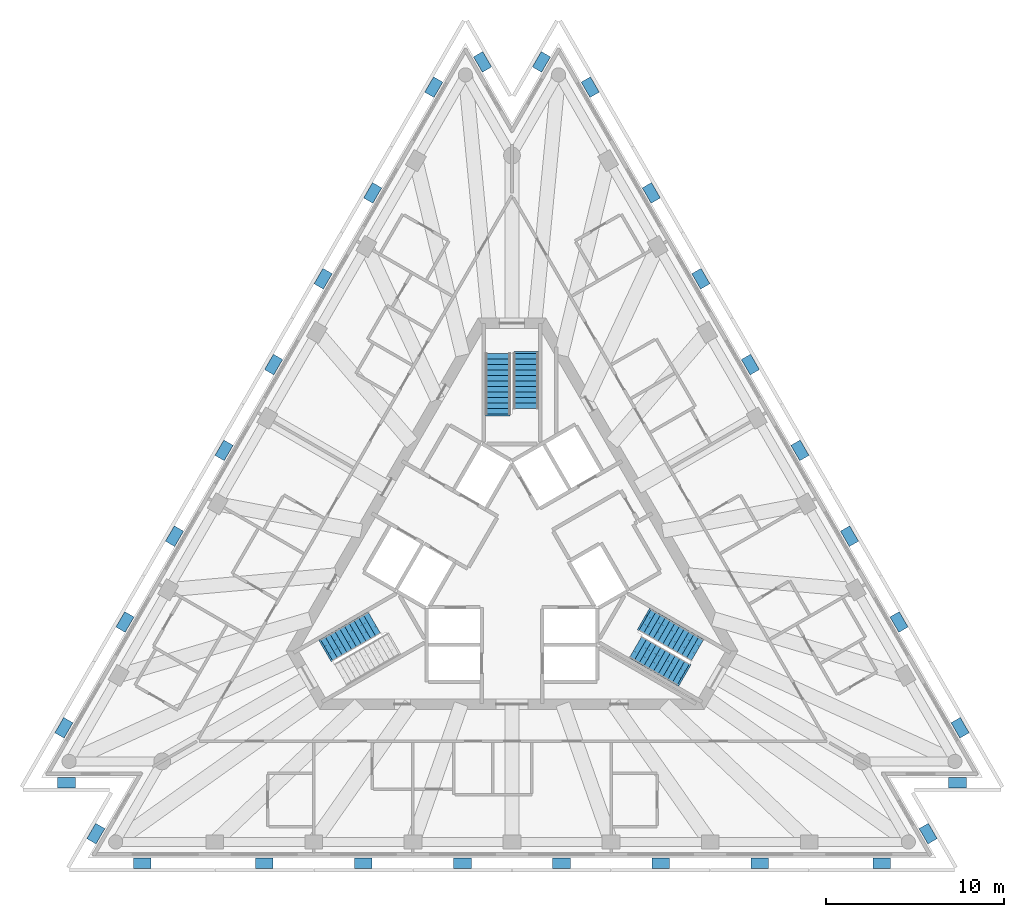
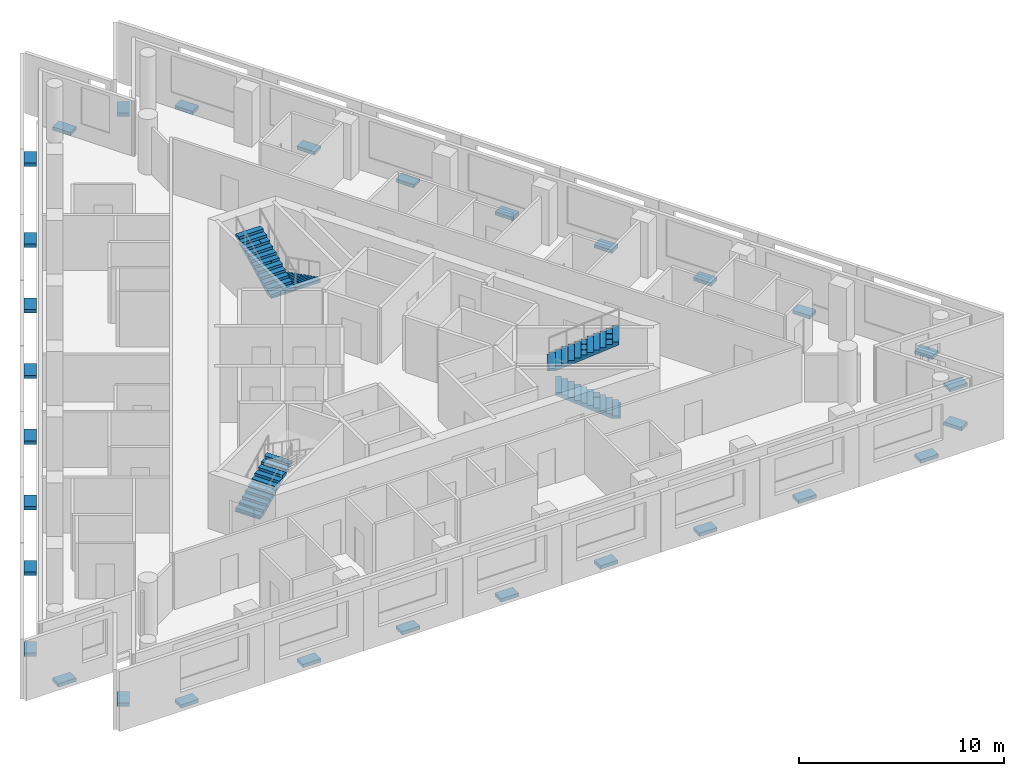
# One storey, part 8 of 10: 30 discrete accessories, 5 stair flights, 3 elements without a shape of their own.
"""IFC4 building model written with IfcOpenShell, lengths in metres."""

from ifc_helpers import new_model, si_unit, direction, frame, origin, origin_2d, place, context, subcontext, project, spatial, polyline, rectangle, outline, extrude, material, type_object, element, aggregate, save


model = new_model("IFC4")

# Units and contexts
model_context = context("Model", 3, precision=1e-05, world=origin(), true_north=direction((0.0, 1.0)))
body_context = subcontext(model_context, "Body", "Model", "MODEL_VIEW")
ifc_project = project(units=[si_unit("LENGTHUNIT", "METRE"), si_unit("AREAUNIT", "SQUARE_METRE"), si_unit("VOLUMEUNIT", "CUBIC_METRE"), si_unit("PLANEANGLEUNIT", "RADIAN"), si_unit("MASSUNIT", "GRAM", prefix="KILO")], contexts=[model_context])

# Site, building, storey
site_placement = place(None, origin())
site = spatial("IfcSite", under=ifc_project, at=site_placement, CompositionType="ELEMENT")
building_placement = place(site_placement, origin())
building = spatial("IfcBuilding", under=site, at=building_placement, Name="Triada Interchange Tower", CompositionType="ELEMENT")
storey_placement = place(building_placement, frame((0.0, 0.0, 275.5)))
storey = spatial("IfcBuildingStorey", under=building, at=storey_placement, Name="L64", CompositionType="ELEMENT", Elevation=275.5)

# Stair, stair flights
ifc_material_1 = material(Name="Concrete C35/45", Category="concrete")
stair_type = type_object("IfcStairType", Name="HALF TURN STAIR 1400", PredefinedType="HALF_TURN_STAIR", material=ifc_material_1)
stair_1_placement = place(storey_placement, origin())
stair_1 = element("IfcStair", 1, at=stair_1_placement, inside=storey, type_object=stair_type, Name="Exit stair S62-1", PredefinedType="HALF_TURN_STAIR")
stair_flight_type = type_object("IfcStairFlightType", Name="STRAIGHT STAIR FLIGHT 1400", PredefinedType="STRAIGHT", material=ifc_material_1)
stair_flight_1_placement = place(storey_placement, frame((0.800048828125, 11.60009765625, 0.0), z_axis=(0.0, 0.0, 1.0), x_axis=(0.0, -1.0, 0.0)))
stair_flight_1 = element("IfcStairFlight", 2, at=stair_flight_1_placement, type_object=stair_flight_type, Name="S62-1 flight 1", NumberOfRisers=11, NumberOfTreads=10, PredefinedType="STRAIGHT", RiserHeight=0.15652, TreadLength=0.31, context=body_context, shape_type="SweptSolid", body=[
    extrude(outline(polyline([(-0.10009765625, 0.0), (-0.10009765625, 0.02001953125), (0.0, 0.02001953125), (0.0, 0.156494140625), (0.31005859375, 0.156494140625), (0.31005859375, 0.31298828125), (0.6201171875, 0.31298828125), (0.6201171875, 0.469482421875), (0.929931640625, 0.469482421875), (0.929931640625, 0.6259765625), (1.239990234375, 0.6259765625), (1.239990234375, 0.78271484375), (1.550048828125, 0.78271484375), (1.550048828125, 0.939208984375), (1.860107421875, 0.939208984375), (1.860107421875, 1.095703125), (2.169921875, 1.095703125), (2.169921875, 1.252197265625), (2.47998046875, 1.252197265625), (2.47998046875, 1.40869140625), (2.7900390625, 1.40869140625), (2.7900390625, 1.565185546875), (3.10009765625, 1.565185546875), (3.10400390625, 1.565185546875), (3.10400390625, 1.7216796875), (3.10400390625, 1.397216796875), (0.33251953125, 0.0), (-0.10009765625, 0.0)])), frame((0.0, 0.699951171875, 0.0), z_axis=(0.0, -1.0, 0.0), x_axis=(1.0, 0.0, 0.0)), (0.0, 0.0, 1.0), 0.46533203125),
    extrude(outline(polyline([(-0.10009765625, 0.0), (-0.10009765625, 0.02001953125), (0.0, 0.02001953125), (0.0, 0.156494140625), (0.31005859375, 0.156494140625), (0.31005859375, 0.31298828125), (0.6201171875, 0.31298828125), (0.6201171875, 0.469482421875), (0.929931640625, 0.469482421875), (0.929931640625, 0.6259765625), (1.239990234375, 0.6259765625), (1.239990234375, 0.78271484375), (1.550048828125, 0.78271484375), (1.550048828125, 0.939208984375), (1.860107421875, 0.939208984375), (1.860107421875, 1.095703125), (2.169921875, 1.095703125), (2.169921875, 1.252197265625), (2.47998046875, 1.252197265625), (2.47998046875, 1.40869140625), (2.7900390625, 1.40869140625), (2.7900390625, 1.565185546875), (3.10009765625, 1.565185546875), (3.10400390625, 1.565185546875), (3.10400390625, 1.7216796875), (3.10400390625, 1.397216796875), (0.33251953125, 0.0), (-0.10009765625, 0.0)])), frame((0.0, 0.232666015625, 0.0), z_axis=(0.0, -1.0, 0.0), x_axis=(1.0, 0.0, 0.0)), (0.0, 0.0, 1.0), 0.46533203125),
    extrude(outline(polyline([(-0.10009765625, 0.0), (-0.10009765625, 0.02001953125), (0.0, 0.02001953125), (0.0, 0.156494140625), (0.31005859375, 0.156494140625), (0.31005859375, 0.31298828125), (0.6201171875, 0.31298828125), (0.6201171875, 0.469482421875), (0.929931640625, 0.469482421875), (0.929931640625, 0.6259765625), (1.239990234375, 0.6259765625), (1.239990234375, 0.78271484375), (1.550048828125, 0.78271484375), (1.550048828125, 0.939208984375), (1.860107421875, 0.939208984375), (1.860107421875, 1.095703125), (2.169921875, 1.095703125), (2.169921875, 1.252197265625), (2.47998046875, 1.252197265625), (2.47998046875, 1.40869140625), (2.7900390625, 1.40869140625), (2.7900390625, 1.565185546875), (3.10009765625, 1.565185546875), (3.10400390625, 1.565185546875), (3.10400390625, 1.7216796875), (3.10400390625, 1.397216796875), (0.33251953125, 0.0), (-0.10009765625, 0.0)])), frame((0.0, -0.234619140625, 0.0), z_axis=(0.0, -1.0, 0.0), x_axis=(1.0, 0.0, 0.0)), (0.0, 0.0, 1.0), 0.46533203125),
])
stair_flight_2_placement = place(storey_placement, frame((-0.800048828125, 8.18994140625, 1.7216796875), z_axis=(0.0, 0.0, 1.0), x_axis=(0.0, 1.0, 0.0)))
stair_flight_2 = element("IfcStairFlight", 3, at=stair_flight_2_placement, type_object=stair_flight_type, Name="S62-1 flight 2", NumberOfRisers=12, NumberOfTreads=11, PredefinedType="STRAIGHT", RiserHeight=0.15652, TreadLength=0.31, context=body_context, shape_type="SweptSolid", body=[
    extrude(outline(polyline([(-0.10009765625, 0.0), (-0.10009765625, 0.02001953125), (0.0, 0.02001953125), (0.0, 0.156494140625), (0.31005859375, 0.156494140625), (0.31005859375, 0.31298828125), (0.6201171875, 0.31298828125), (0.6201171875, 0.469482421875), (0.929931640625, 0.469482421875), (0.929931640625, 0.6259765625), (1.239990234375, 0.6259765625), (1.239990234375, 0.78271484375), (1.550048828125, 0.78271484375), (1.550048828125, 0.939208984375), (1.860107421875, 0.939208984375), (1.860107421875, 1.095703125), (2.169921875, 1.095703125), (2.169921875, 1.252197265625), (2.47998046875, 1.252197265625), (2.47998046875, 1.40869140625), (2.7900390625, 1.40869140625), (2.7900390625, 1.565185546875), (3.10009765625, 1.565185546875), (3.10009765625, 1.7216796875), (3.409912109375, 1.7216796875), (3.4140625, 1.7216796875), (3.4140625, 1.878173828125), (3.4140625, 1.5537109375), (0.33251953125, 0.0), (-0.10009765625, 0.0)])), frame((0.0, 0.699951171875, 0.0), z_axis=(0.0, -1.0, 0.0), x_axis=(1.0, 0.0, 0.0)), (0.0, 0.0, 1.0), 0.46533203125),
    extrude(outline(polyline([(-0.10009765625, 0.0), (-0.10009765625, 0.02001953125), (0.0, 0.02001953125), (0.0, 0.156494140625), (0.31005859375, 0.156494140625), (0.31005859375, 0.31298828125), (0.6201171875, 0.31298828125), (0.6201171875, 0.469482421875), (0.929931640625, 0.469482421875), (0.929931640625, 0.6259765625), (1.239990234375, 0.6259765625), (1.239990234375, 0.78271484375), (1.550048828125, 0.78271484375), (1.550048828125, 0.939208984375), (1.860107421875, 0.939208984375), (1.860107421875, 1.095703125), (2.169921875, 1.095703125), (2.169921875, 1.252197265625), (2.47998046875, 1.252197265625), (2.47998046875, 1.40869140625), (2.7900390625, 1.40869140625), (2.7900390625, 1.565185546875), (3.10009765625, 1.565185546875), (3.10009765625, 1.7216796875), (3.409912109375, 1.7216796875), (3.4140625, 1.7216796875), (3.4140625, 1.878173828125), (3.4140625, 1.5537109375), (0.33251953125, 0.0), (-0.10009765625, 0.0)])), frame((0.0, 0.232666015625, 0.0), z_axis=(0.0, -1.0, 0.0), x_axis=(1.0, 0.0, 0.0)), (0.0, 0.0, 1.0), 0.46533203125),
    extrude(outline(polyline([(-0.10009765625, 0.0), (-0.10009765625, 0.02001953125), (0.0, 0.02001953125), (0.0, 0.156494140625), (0.31005859375, 0.156494140625), (0.31005859375, 0.31298828125), (0.6201171875, 0.31298828125), (0.6201171875, 0.469482421875), (0.929931640625, 0.469482421875), (0.929931640625, 0.6259765625), (1.239990234375, 0.6259765625), (1.239990234375, 0.78271484375), (1.550048828125, 0.78271484375), (1.550048828125, 0.939208984375), (1.860107421875, 0.939208984375), (1.860107421875, 1.095703125), (2.169921875, 1.095703125), (2.169921875, 1.252197265625), (2.47998046875, 1.252197265625), (2.47998046875, 1.40869140625), (2.7900390625, 1.40869140625), (2.7900390625, 1.565185546875), (3.10009765625, 1.565185546875), (3.10009765625, 1.7216796875), (3.409912109375, 1.7216796875), (3.4140625, 1.7216796875), (3.4140625, 1.878173828125), (3.4140625, 1.5537109375), (0.33251953125, 0.0), (-0.10009765625, 0.0)])), frame((0.0, -0.234619140625, 0.0), z_axis=(0.0, -1.0, 0.0), x_axis=(1.0, 0.0, 0.0)), (0.0, 0.0, 1.0), 0.46533203125),
])
aggregate(stair_1, [stair_flight_1, stair_flight_2])

# Stair, stair flight
stair_2_placement = place(storey_placement, origin())
stair_2 = element("IfcStair", 4, at=stair_2_placement, inside=storey, type_object=stair_type, Name="Exit stair S62-2", PredefinedType="HALF_TURN_STAIR")
stair_flight_3_placement = place(storey_placement, frame((-10.446044921875, -5.10693359375, 0.0), z_axis=(0.0, 0.0, 1.0), x_axis=(0.866025403784, 0.5, 0.0)))
stair_flight_3 = element("IfcStairFlight", 5, at=stair_flight_3_placement, type_object=stair_flight_type, Name="S62-2 flight 1", NumberOfRisers=11, NumberOfTreads=10, PredefinedType="STRAIGHT", RiserHeight=0.15652, TreadLength=0.31, context=body_context, shape_type="SweptSolid", body=[
    extrude(outline(polyline([(-0.10009765625, 0.0), (-0.10009765625, 0.02001953125), (0.0, 0.02001953125), (0.0, 0.156494140625), (0.31005859375, 0.156494140625), (0.31005859375, 0.31298828125), (0.6201171875, 0.31298828125), (0.6201171875, 0.469482421875), (0.929931640625, 0.469482421875), (0.929931640625, 0.6259765625), (1.239990234375, 0.6259765625), (1.239990234375, 0.78271484375), (1.550048828125, 0.78271484375), (1.550048828125, 0.939208984375), (1.860107421875, 0.939208984375), (1.860107421875, 1.095703125), (2.169921875, 1.095703125), (2.169921875, 1.252197265625), (2.47998046875, 1.252197265625), (2.47998046875, 1.40869140625), (2.7900390625, 1.40869140625), (2.7900390625, 1.565185546875), (3.10009765625, 1.565185546875), (3.10400390625, 1.565185546875), (3.10400390625, 1.7216796875), (3.10400390625, 1.397216796875), (0.33251953125, 0.0), (-0.10009765625, 0.0)])), frame((0.0, 0.699951171875, 0.0), z_axis=(0.0, -1.0, 0.0), x_axis=(1.0, 0.0, 0.0)), (0.0, 0.0, 1.0), 0.46533203125),
    extrude(outline(polyline([(-0.10009765625, 0.0), (-0.10009765625, 0.02001953125), (0.0, 0.02001953125), (0.0, 0.156494140625), (0.31005859375, 0.156494140625), (0.31005859375, 0.31298828125), (0.6201171875, 0.31298828125), (0.6201171875, 0.469482421875), (0.929931640625, 0.469482421875), (0.929931640625, 0.6259765625), (1.239990234375, 0.6259765625), (1.239990234375, 0.78271484375), (1.550048828125, 0.78271484375), (1.550048828125, 0.939208984375), (1.860107421875, 0.939208984375), (1.860107421875, 1.095703125), (2.169921875, 1.095703125), (2.169921875, 1.252197265625), (2.47998046875, 1.252197265625), (2.47998046875, 1.40869140625), (2.7900390625, 1.40869140625), (2.7900390625, 1.565185546875), (3.10009765625, 1.565185546875), (3.10400390625, 1.565185546875), (3.10400390625, 1.7216796875), (3.10400390625, 1.397216796875), (0.33251953125, 0.0), (-0.10009765625, 0.0)])), frame((0.0, 0.232666015625, 0.0), z_axis=(0.0, -1.0, 0.0), x_axis=(1.0, 0.0, 0.0)), (0.0, 0.0, 1.0), 0.46533203125),
    extrude(outline(polyline([(-0.10009765625, 0.0), (-0.10009765625, 0.02001953125), (0.0, 0.02001953125), (0.0, 0.156494140625), (0.31005859375, 0.156494140625), (0.31005859375, 0.31298828125), (0.6201171875, 0.31298828125), (0.6201171875, 0.469482421875), (0.929931640625, 0.469482421875), (0.929931640625, 0.6259765625), (1.239990234375, 0.6259765625), (1.239990234375, 0.78271484375), (1.550048828125, 0.78271484375), (1.550048828125, 0.939208984375), (1.860107421875, 0.939208984375), (1.860107421875, 1.095703125), (2.169921875, 1.095703125), (2.169921875, 1.252197265625), (2.47998046875, 1.252197265625), (2.47998046875, 1.40869140625), (2.7900390625, 1.40869140625), (2.7900390625, 1.565185546875), (3.10009765625, 1.565185546875), (3.10400390625, 1.565185546875), (3.10400390625, 1.7216796875), (3.10400390625, 1.397216796875), (0.33251953125, 0.0), (-0.10009765625, 0.0)])), frame((0.0, -0.234619140625, 0.0), z_axis=(0.0, -1.0, 0.0), x_axis=(1.0, 0.0, 0.0)), (0.0, 0.0, 1.0), 0.46533203125),
])
aggregate(stair_2, [stair_flight_3])

# Stair, stair flights
stair_3_placement = place(storey_placement, origin())
stair_3 = element("IfcStair", 6, at=stair_3_placement, inside=storey, type_object=stair_type, Name="Exit stair S62-3", PredefinedType="HALF_TURN_STAIR")
stair_flight_4_placement = place(storey_placement, frame((9.64599609375, -6.492919921875, 0.0), z_axis=(0.0, 0.0, 1.0), x_axis=(-0.866025403784, 0.5, 0.0)))
stair_flight_4 = element("IfcStairFlight", 7, at=stair_flight_4_placement, type_object=stair_flight_type, Name="S62-3 flight 1", NumberOfRisers=11, NumberOfTreads=10, PredefinedType="STRAIGHT", RiserHeight=0.15652, TreadLength=0.31, context=body_context, shape_type="SweptSolid", body=[
    extrude(outline(polyline([(-0.10009765625, 0.0), (-0.10009765625, 0.02001953125), (0.0, 0.02001953125), (0.0, 0.156494140625), (0.31005859375, 0.156494140625), (0.31005859375, 0.31298828125), (0.6201171875, 0.31298828125), (0.6201171875, 0.469482421875), (0.929931640625, 0.469482421875), (0.929931640625, 0.6259765625), (1.239990234375, 0.6259765625), (1.239990234375, 0.78271484375), (1.550048828125, 0.78271484375), (1.550048828125, 0.939208984375), (1.860107421875, 0.939208984375), (1.860107421875, 1.095703125), (2.169921875, 1.095703125), (2.169921875, 1.252197265625), (2.47998046875, 1.252197265625), (2.47998046875, 1.40869140625), (2.7900390625, 1.40869140625), (2.7900390625, 1.565185546875), (3.10009765625, 1.565185546875), (3.10400390625, 1.565185546875), (3.10400390625, 1.7216796875), (3.10400390625, 1.397216796875), (0.33251953125, 0.0), (-0.10009765625, 0.0)])), frame((0.0, 0.699951171875, 0.0), z_axis=(0.0, -1.0, 0.0), x_axis=(1.0, 0.0, 0.0)), (0.0, 0.0, 1.0), 0.46533203125),
    extrude(outline(polyline([(-0.10009765625, 0.0), (-0.10009765625, 0.02001953125), (0.0, 0.02001953125), (0.0, 0.156494140625), (0.31005859375, 0.156494140625), (0.31005859375, 0.31298828125), (0.6201171875, 0.31298828125), (0.6201171875, 0.469482421875), (0.929931640625, 0.469482421875), (0.929931640625, 0.6259765625), (1.239990234375, 0.6259765625), (1.239990234375, 0.78271484375), (1.550048828125, 0.78271484375), (1.550048828125, 0.939208984375), (1.860107421875, 0.939208984375), (1.860107421875, 1.095703125), (2.169921875, 1.095703125), (2.169921875, 1.252197265625), (2.47998046875, 1.252197265625), (2.47998046875, 1.40869140625), (2.7900390625, 1.40869140625), (2.7900390625, 1.565185546875), (3.10009765625, 1.565185546875), (3.10400390625, 1.565185546875), (3.10400390625, 1.7216796875), (3.10400390625, 1.397216796875), (0.33251953125, 0.0), (-0.10009765625, 0.0)])), frame((0.0, 0.232666015625, 0.0), z_axis=(0.0, -1.0, 0.0), x_axis=(1.0, 0.0, 0.0)), (0.0, 0.0, 1.0), 0.46533203125),
    extrude(outline(polyline([(-0.10009765625, 0.0), (-0.10009765625, 0.02001953125), (0.0, 0.02001953125), (0.0, 0.156494140625), (0.31005859375, 0.156494140625), (0.31005859375, 0.31298828125), (0.6201171875, 0.31298828125), (0.6201171875, 0.469482421875), (0.929931640625, 0.469482421875), (0.929931640625, 0.6259765625), (1.239990234375, 0.6259765625), (1.239990234375, 0.78271484375), (1.550048828125, 0.78271484375), (1.550048828125, 0.939208984375), (1.860107421875, 0.939208984375), (1.860107421875, 1.095703125), (2.169921875, 1.095703125), (2.169921875, 1.252197265625), (2.47998046875, 1.252197265625), (2.47998046875, 1.40869140625), (2.7900390625, 1.40869140625), (2.7900390625, 1.565185546875), (3.10009765625, 1.565185546875), (3.10400390625, 1.565185546875), (3.10400390625, 1.7216796875), (3.10400390625, 1.397216796875), (0.33251953125, 0.0), (-0.10009765625, 0.0)])), frame((0.0, -0.234619140625, 0.0), z_axis=(0.0, -1.0, 0.0), x_axis=(1.0, 0.0, 0.0)), (0.0, 0.0, 1.0), 0.46533203125),
])
stair_flight_5_placement = place(storey_placement, frame((7.492919921875, -3.402099609375, 1.7216796875), z_axis=(0.0, 0.0, 1.0), x_axis=(0.866025403784, -0.5, 0.0)))
stair_flight_5 = element("IfcStairFlight", 8, at=stair_flight_5_placement, type_object=stair_flight_type, Name="S62-3 flight 2", NumberOfRisers=12, NumberOfTreads=11, PredefinedType="STRAIGHT", RiserHeight=0.15652, TreadLength=0.31, context=body_context, shape_type="SweptSolid", body=[
    extrude(outline(polyline([(-0.10009765625, 0.0), (-0.10009765625, 0.02001953125), (0.0, 0.02001953125), (0.0, 0.156494140625), (0.31005859375, 0.156494140625), (0.31005859375, 0.31298828125), (0.6201171875, 0.31298828125), (0.6201171875, 0.469482421875), (0.929931640625, 0.469482421875), (0.929931640625, 0.6259765625), (1.239990234375, 0.6259765625), (1.239990234375, 0.78271484375), (1.550048828125, 0.78271484375), (1.550048828125, 0.939208984375), (1.860107421875, 0.939208984375), (1.860107421875, 1.095703125), (2.169921875, 1.095703125), (2.169921875, 1.252197265625), (2.47998046875, 1.252197265625), (2.47998046875, 1.40869140625), (2.7900390625, 1.40869140625), (2.7900390625, 1.565185546875), (3.10009765625, 1.565185546875), (3.10009765625, 1.7216796875), (3.409912109375, 1.7216796875), (3.4140625, 1.7216796875), (3.4140625, 1.878173828125), (3.4140625, 1.5537109375), (0.33251953125, 0.0), (-0.10009765625, 0.0)])), frame((0.0, 0.699951171875, 0.0), z_axis=(0.0, -1.0, 0.0), x_axis=(1.0, 0.0, 0.0)), (0.0, 0.0, 1.0), 0.46533203125),
    extrude(outline(polyline([(-0.10009765625, 0.0), (-0.10009765625, 0.02001953125), (0.0, 0.02001953125), (0.0, 0.156494140625), (0.31005859375, 0.156494140625), (0.31005859375, 0.31298828125), (0.6201171875, 0.31298828125), (0.6201171875, 0.469482421875), (0.929931640625, 0.469482421875), (0.929931640625, 0.6259765625), (1.239990234375, 0.6259765625), (1.239990234375, 0.78271484375), (1.550048828125, 0.78271484375), (1.550048828125, 0.939208984375), (1.860107421875, 0.939208984375), (1.860107421875, 1.095703125), (2.169921875, 1.095703125), (2.169921875, 1.252197265625), (2.47998046875, 1.252197265625), (2.47998046875, 1.40869140625), (2.7900390625, 1.40869140625), (2.7900390625, 1.565185546875), (3.10009765625, 1.565185546875), (3.10009765625, 1.7216796875), (3.409912109375, 1.7216796875), (3.4140625, 1.7216796875), (3.4140625, 1.878173828125), (3.4140625, 1.5537109375), (0.33251953125, 0.0), (-0.10009765625, 0.0)])), frame((0.0, 0.232666015625, 0.0), z_axis=(0.0, -1.0, 0.0), x_axis=(1.0, 0.0, 0.0)), (0.0, 0.0, 1.0), 0.46533203125),
    extrude(outline(polyline([(-0.10009765625, 0.0), (-0.10009765625, 0.02001953125), (0.0, 0.02001953125), (0.0, 0.156494140625), (0.31005859375, 0.156494140625), (0.31005859375, 0.31298828125), (0.6201171875, 0.31298828125), (0.6201171875, 0.469482421875), (0.929931640625, 0.469482421875), (0.929931640625, 0.6259765625), (1.239990234375, 0.6259765625), (1.239990234375, 0.78271484375), (1.550048828125, 0.78271484375), (1.550048828125, 0.939208984375), (1.860107421875, 0.939208984375), (1.860107421875, 1.095703125), (2.169921875, 1.095703125), (2.169921875, 1.252197265625), (2.47998046875, 1.252197265625), (2.47998046875, 1.40869140625), (2.7900390625, 1.40869140625), (2.7900390625, 1.565185546875), (3.10009765625, 1.565185546875), (3.10009765625, 1.7216796875), (3.409912109375, 1.7216796875), (3.4140625, 1.7216796875), (3.4140625, 1.878173828125), (3.4140625, 1.5537109375), (0.33251953125, 0.0), (-0.10009765625, 0.0)])), frame((0.0, -0.234619140625, 0.0), z_axis=(0.0, -1.0, 0.0), x_axis=(1.0, 0.0, 0.0)), (0.0, 0.0, 1.0), 0.46533203125),
])
aggregate(stair_3, [stair_flight_4, stair_flight_5])

# Discrete accessories
ifc_material_2 = material(Name="Steel S355", Category="steel")
discrete_accessory_type = type_object("IfcDiscreteAccessoryType", Name="Steel bracket outer skin", PredefinedType="BRACKET", material=ifc_material_2)
for number, where, z_axis, x_axis, name in (
    (9, (-4.406982421875, 26.60107421875, -0.27001953125), (0.0, 0.0, 1.0), (-0.866029060226, 0.499993666804, 0.0), "Bracket L64 01"),
    (10, (-7.846923828125, 20.64306640625, -0.27001953125), (0.0, 0.0, 1.0), (-0.866029060226, 0.499993666804, 0.0), "Bracket L64 02"),
    (11, (-10.637939453125, 15.80908203125, -0.27001953125), (0.0, 0.0, 1.0), (-0.866029060226, 0.499993666804, 0.0), "Bracket L64 03"),
    (12, (-13.427978515625, 10.97509765625, -0.27001953125), (0.0, 0.0, 1.0), (-0.866029060226, 0.499993666804, 0.0), "Bracket L64 04"),
    (13, (-16.218994140625, 6.14208984375, -0.27001953125), (0.0, 0.0, 1.0), (-0.866029060226, 0.499993666804, 0.0), "Bracket L64 05"),
    (14, (-19.010009765625, 1.30810546875, -0.27001953125), (0.0, 0.0, 1.0), (-0.866029060226, 0.499993666804, 0.0), "Bracket L64 06"),
    (15, (-21.800048828125, -3.52587890625, -0.27001953125), (0.0, 0.0, 1.0), (-0.866029060226, 0.499993666804, 0.0), "Bracket L64 07"),
    (16, (-25.240966796875, -9.48388671875, -0.27001953125), (0.0, 0.0, 1.0), (-0.866029060226, 0.499993666804, 0.0), "Bracket L64 08"),
    (17, (-25.096923828125, -12.575927734375, -0.27001953125), (0.0, 0.0, 1.0), (0.0, -1.0, 0.0), "Bracket L64 09"),
    (18, (-23.43994140625, -15.447021484375, -0.27001953125), (0.0, 0.0, 1.0), (-0.866004555074, 0.500036109288, 0.0), "Bracket L64 10"),
    (19, (-20.833984375, -17.116943359375, -0.27001953125), (0.0, 0.0, 1.0), (0.0, -1.0, 0.0), "Bracket L64 11"),
    (20, (-13.9541015625, -17.116943359375, -0.27001953125), (0.0, 0.0, 1.0), (0.0, -1.0, 0.0), "Bracket L64 12"),
    (21, (-8.3720703125, -17.116943359375, -0.27001953125), (0.0, 0.0, 1.0), (0.0, -1.0, 0.0), "Bracket L64 13"),
    (22, (-2.791015625, -17.116943359375, -0.27001953125), (0.0, 0.0, 1.0), (0.0, -1.0, 0.0), "Bracket L64 14"),
    (23, (2.791015625, -17.116943359375, -0.27001953125), (0.0, 0.0, 1.0), (0.0, -1.0, 0.0), "Bracket L64 15"),
    (24, (8.3720703125, -17.116943359375, -0.27001953125), (0.0, 0.0, 1.0), (0.0, -1.0, 0.0), "Bracket L64 16"),
    (25, (13.9541015625, -17.116943359375, -0.27001953125), (0.0, 0.0, 1.0), (0.0, -1.0, 0.0), "Bracket L64 17"),
    (26, (20.833984375, -17.116943359375, -0.27001953125), (0.0, 0.0, 1.0), (0.0, -1.0, 0.0), "Bracket L64 18"),
    (27, (23.43994140625, -15.447021484375, -0.27001953125), (0.0, 0.0, 1.0), (0.866004555074, 0.500036109288, 0.0), "Bracket L64 19"),
    (28, (25.096923828125, -12.575927734375, -0.27001953125), (0.0, 0.0, 1.0), (0.0, -1.0, 0.0), "Bracket L64 20"),
    (29, (25.240966796875, -9.48388671875, -0.27001953125), (0.0, 0.0, 1.0), (0.866029060226, 0.499993666804, 0.0), "Bracket L64 21"),
    (30, (21.800048828125, -3.52587890625, -0.27001953125), (0.0, 0.0, 1.0), (0.866029060226, 0.499993666804, 0.0), "Bracket L64 22"),
    (31, (19.010009765625, 1.30810546875, -0.27001953125), (0.0, 0.0, 1.0), (0.866029060226, 0.499993666804, 0.0), "Bracket L64 23"),
    (32, (16.218994140625, 6.14208984375, -0.27001953125), (0.0, 0.0, 1.0), (0.866029060226, 0.499993666804, 0.0), "Bracket L64 24"),
    (33, (13.427978515625, 10.97509765625, -0.27001953125), (0.0, 0.0, 1.0), (0.866029060226, 0.499993666804, 0.0), "Bracket L64 25"),
    (34, (10.637939453125, 15.80908203125, -0.27001953125), (0.0, 0.0, 1.0), (0.866029060226, 0.499993666804, 0.0), "Bracket L64 26"),
    (35, (7.846923828125, 20.64306640625, -0.27001953125), (0.0, 0.0, 1.0), (0.866029060226, 0.499993666804, 0.0), "Bracket L64 27"),
    (36, (4.406982421875, 26.60107421875, -0.27001953125), (0.0, 0.0, 1.0), (0.866029060226, 0.499993666804, 0.0), "Bracket L64 28"),
    (37, (1.657958984375, 28.02294921875, -0.27001953125), (0.0, 0.0, 1.0), (-0.865956865297, 0.500118693357, 0.0), "Bracket L64 29"),
    (38, (-1.657958984375, 28.02294921875, -0.27001953125), (0.0, 0.0, 1.0), (0.865956865297, 0.500118693357, 0.0), "Bracket L64 30"),
):
    element("IfcDiscreteAccessory", number, at=place(storey_placement, frame(where, z_axis=z_axis, x_axis=x_axis)), inside=storey, type_object=discrete_accessory_type, Name=name, PredefinedType="BRACKET", context=body_context, shape_type="SweptSolid", body=[
        extrude(rectangle(XDim=0.60009765625, YDim=1.0, at=origin_2d()), origin(), (0.0, 0.0, 1.0), 0.199951171875),
    ])

save(model, "model.ifc")
